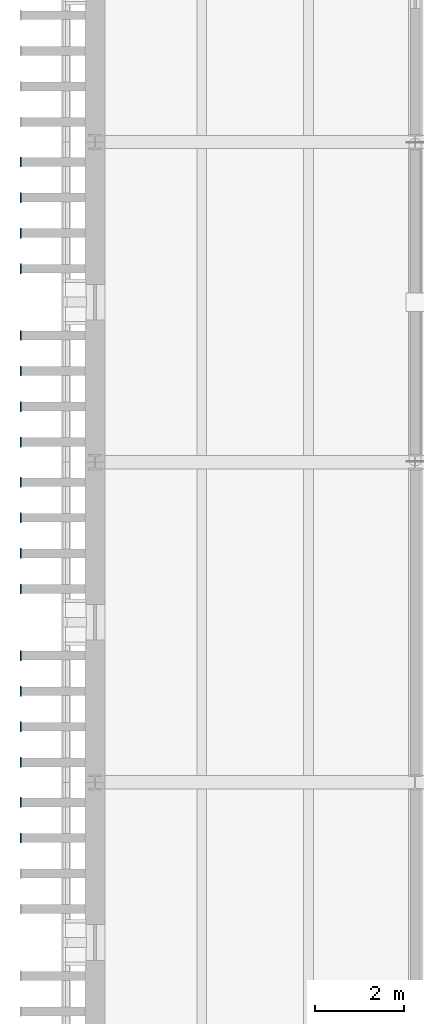
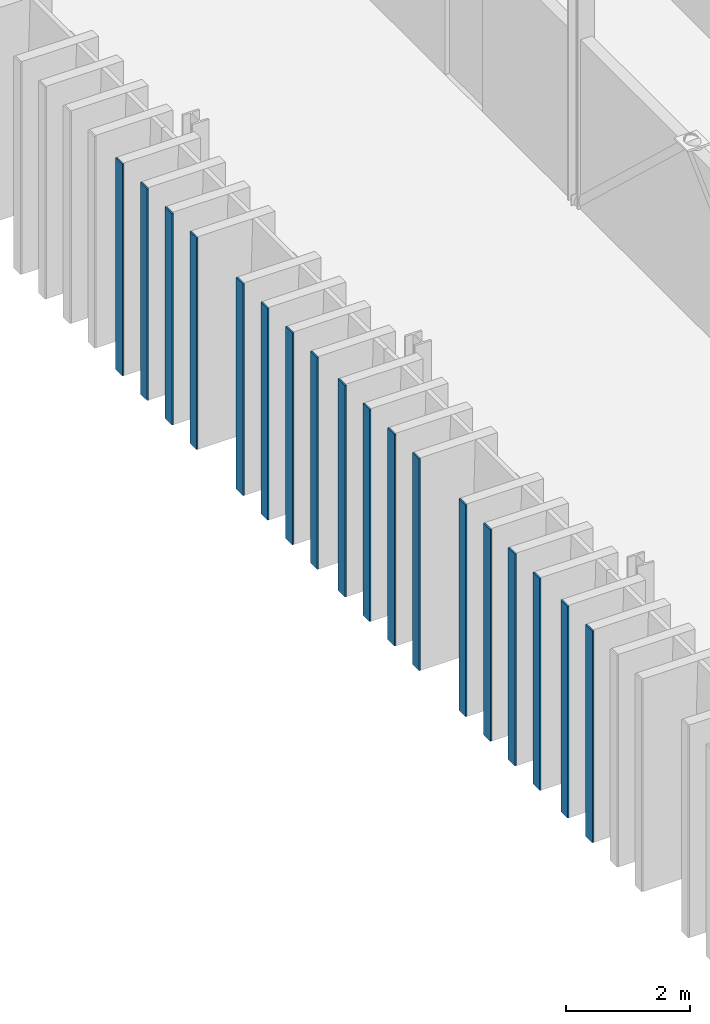
# One storey, part 49 of 115: 18 plates.
"""IFC4 building model written with IfcOpenShell, lengths in metres."""

from ifc_helpers import new_model, si_unit, direction, frame, origin, origin_2d, place, context, subcontext, project, spatial, rectangle, extrude, material, layer, layer_set, type_object, element, save


model = new_model("IFC4")

# Units and contexts
model_context = context("Model", 3, precision=1e-05, world=origin(), true_north=direction((0.0, 1.0)))
body_context = subcontext(model_context, "Body", "Model", "MODEL_VIEW")
ifc_project = project(units=[si_unit("LENGTHUNIT", "METRE"), si_unit("AREAUNIT", "SQUARE_METRE"), si_unit("VOLUMEUNIT", "CUBIC_METRE"), si_unit("PLANEANGLEUNIT", "RADIAN"), si_unit("MASSUNIT", "GRAM", prefix="KILO")], contexts=[model_context])

# Site, building, storey
site_placement = place(None, origin())
site = spatial("IfcSite", under=ifc_project, at=site_placement, CompositionType="ELEMENT")
building_placement = place(site_placement, origin())
building = spatial("IfcBuilding", under=site, at=building_placement, Name="Narikvali Park Central Library", CompositionType="ELEMENT")
storey_placement = place(building_placement, frame((0.0, 0.0, 10.199951171875)))
storey = spatial("IfcBuildingStorey", under=building, at=storey_placement, Name="L02", CompositionType="ELEMENT", Elevation=10.199951171875)

# Plates
ifc_material = material(Name="Anodised Bronze Aluminium", Category="aluminium")
ifc_layer = layer(ifc_material, 0.028076171875, Name="Anodised Bronze Aluminium")
ifc_layer_set = layer_set([ifc_layer], Name="Anodised Bronze Aluminium")
plate_type = type_object("IfcPlateType", Name="Vertical Brick Fin Bronze Bullnose Cap 28", PredefinedType="SHEET", material=ifc_layer_set)
for number, where, z_axis, x_axis, name in (
    (1, (-1.672119140625, 63.550048828125, 0.01025390625), (0.0, 0.0, 1.0), (1.0, 0.0, 0.0), "West Stacks Fin Bullnose Trim 207"),
    (2, (-1.672119140625, 64.35009765625, 0.01025390625), (0.0, 0.0, 1.0), (1.0, 0.0, 0.0), "West Stacks Fin Bullnose Trim 213"),
    (3, (-1.672119140625, 65.25, 0.01025390625), (0.0, 0.0, 1.0), (1.0, 0.0, 0.0), "West Stacks Fin Bullnose Trim 219"),
    (4, (-1.672119140625, 66.050048828125, 0.01025390625), (0.0, 0.0, 1.0), (1.0, 0.0, 0.0), "West Stacks Fin Bullnose Trim 225"),
    (5, (-1.672119140625, 66.85009765625, 0.01025390625), (0.0, 0.0, 1.0), (1.0, 0.0, 0.0), "West Stacks Fin Bullnose Trim 231"),
    (6, (-1.672119140625, 67.64990234375, 0.01025390625), (0.0, 0.0, 1.0), (1.0, 0.0, 0.0), "West Stacks Fin Bullnose Trim 237"),
    (7, (-1.672119140625, 69.14990234375, 0.01025390625), (0.0, 0.0, 1.0), (1.0, 0.0, 0.0), "West Stacks Fin Bullnose Trim 243"),
    (8, (-1.672119140625, 69.949951171875, 0.01025390625), (0.0, 0.0, 1.0), (1.0, 0.0, 0.0), "West Stacks Fin Bullnose Trim 249"),
    (9, (-1.672119140625, 70.75, 0.01025390625), (0.0, 0.0, 1.0), (1.0, 0.0, 0.0), "West Stacks Fin Bullnose Trim 255"),
    (10, (-1.672119140625, 71.550048828125, 0.01025390625), (0.0, 0.0, 1.0), (1.0, 0.0, 0.0), "West Stacks Fin Bullnose Trim 261"),
    (11, (-1.672119140625, 72.449951171875, 0.01025390625), (0.0, 0.0, 1.0), (1.0, 0.0, 0.0), "West Stacks Fin Bullnose Trim 267"),
    (12, (-1.672119140625, 73.25, 0.01025390625), (0.0, 0.0, 1.0), (1.0, 0.0, 0.0), "West Stacks Fin Bullnose Trim 273"),
    (13, (-1.672119140625, 74.050048828125, 0.01025390625), (0.0, 0.0, 1.0), (1.0, 0.0, 0.0), "West Stacks Fin Bullnose Trim 279"),
    (14, (-1.672119140625, 74.85009765625, 0.01025390625), (0.0, 0.0, 1.0), (1.0, 0.0, 0.0), "West Stacks Fin Bullnose Trim 285"),
    (15, (-1.672119140625, 76.35009765625, 0.01025390625), (0.0, 0.0, 1.0), (1.0, 0.0, 0.0), "West Stacks Fin Bullnose Trim 291"),
    (16, (-1.672119140625, 77.14990234375, 0.01025390625), (0.0, 0.0, 1.0), (1.0, 0.0, 0.0), "West Stacks Fin Bullnose Trim 297"),
    (17, (-1.672119140625, 77.949951171875, 0.01025390625), (0.0, 0.0, 1.0), (1.0, 0.0, 0.0), "West Stacks Fin Bullnose Trim 303"),
    (18, (-1.672119140625, 78.75, 0.01025390625), (0.0, 0.0, 1.0), (1.0, 0.0, 0.0), "West Stacks Fin Bullnose Trim 309"),
):
    element("IfcPlate", number, at=place(storey_placement, frame(where, z_axis=z_axis, x_axis=x_axis)), inside=storey, type_object=plate_type, Name=name, PredefinedType="SHEET", context=body_context, shape_type="SweptSolid", body=[
        extrude(rectangle(XDim=0.028076171875, YDim=0.219970703125, at=origin_2d()), origin(), (0.0, 0.0, 1.0), 4.179931640625),
    ])

save(model, "model.ifc")
